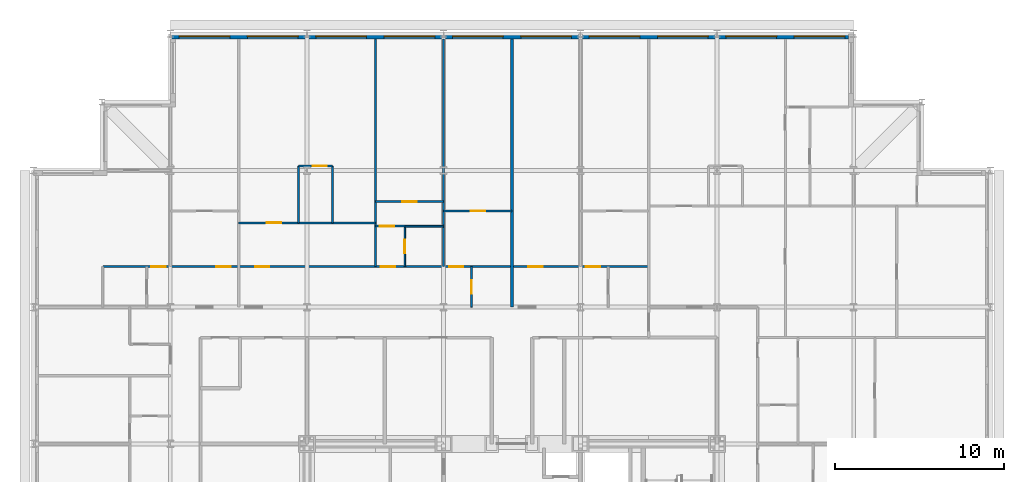
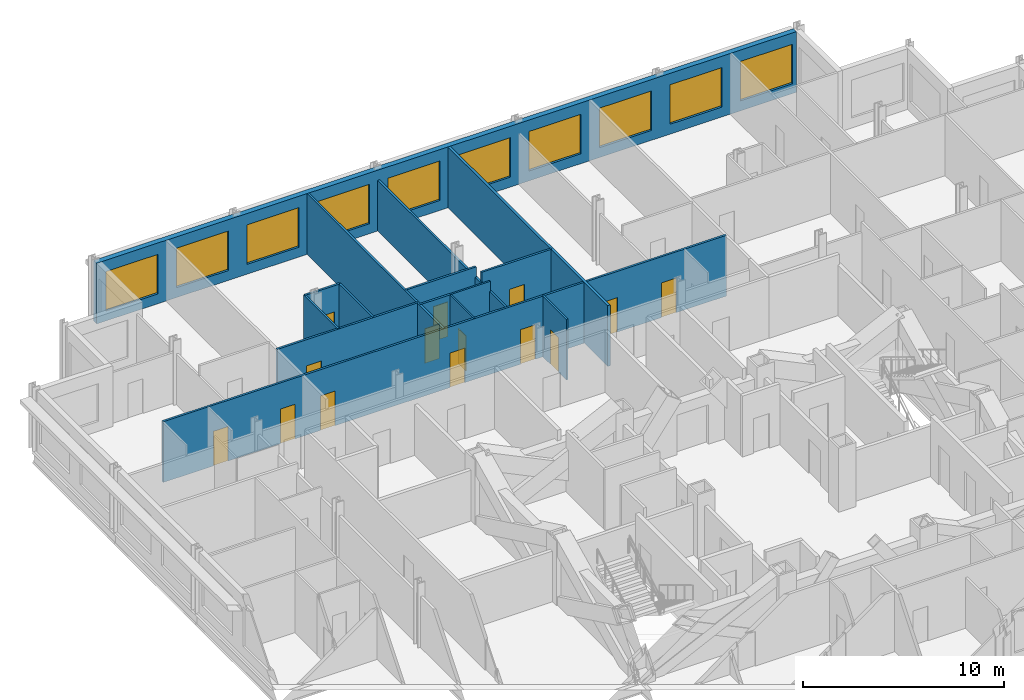
# One storey, part 13 of 16: 15 walls, 14 doors, 10 windows, 24 openings.
"""IFC4 building model written with IfcOpenShell, lengths in metres."""

import ifcopenshell
import ifcopenshell.guid

model = None  # the IFC model being written
_history = None  # IfcOwnerHistory: only IFC2X3 demands one
_inside = {}  # id of a spatial element -> (the spatial element, [elements in it])
_under = {}  # id of a project, library or spatial element -> (it, [spatial elements below it])
_declared = {}  # id of a project -> (the project, [libraries it declares])
_typed = {}  # id of a type object -> (the type object, [elements of that type])
_made_of = {}  # id of a material, layer set ... -> (it, [elements and type objects made of it])


def new_model(schema):
    """Start an empty IFC model of exactly this schema.

    Asked for "IFC4X3", IfcOpenShell would pick the latest addendum, in which some entities
    have other attributes; the version numbers below select the first issue.
    IFC2X3 requires an IfcOwnerHistory on every rooted entity: one is made here for all.
    """
    global model, _history
    if schema == "IFC4X3":
        model = ifcopenshell.file(schema_version=(4, 3, 0, 0))
    else:
        model = ifcopenshell.file(schema=schema)
    _inside.clear()
    _under.clear()
    _declared.clear()
    _typed.clear()
    _made_of.clear()
    _history = None
    if model.schema == "IFC2X3":
        org = make("IfcOrganization", Name="unknown")
        user = make(
            "IfcPersonAndOrganization",
            ThePerson=make("IfcPerson", FamilyName="unknown"),
            TheOrganization=org,
        )
        app = make(
            "IfcApplication",
            ApplicationDeveloper=org,
            Version="unknown",
            ApplicationFullName="unknown",
            ApplicationIdentifier="unknown",
        )
        _history = make(
            "IfcOwnerHistory",
            OwningUser=user,
            OwningApplication=app,
            ChangeAction="ADDED",
            CreationDate=0,
        )
    return model


def make(cls, **values):
    """One entity of the class cls with the attributes given. An attribute that is None is left unset."""
    return model.create_entity(
        cls, **{name: value for name, value in values.items() if value is not None}
    )


def rooted(cls, **values):
    """An entity with a GlobalId (a new one), such as an element, a storey or a relation."""
    return make(cls, GlobalId=ifcopenshell.guid.new(), OwnerHistory=_history, **values)


def si_unit(unit_type, name, prefix=None):
    """IfcSIUnit, for example si_unit("LENGTHUNIT", "METRE", prefix="MILLI")."""
    return make("IfcSIUnit", UnitType=unit_type, Prefix=prefix, Name=name)


def assignment(units):
    """IfcUnitAssignment: the units of a project."""
    return None if units is None else make("IfcUnitAssignment", Units=units)


def point(xyz):
    """IfcCartesianPoint."""
    return None if xyz is None else make("IfcCartesianPoint", Coordinates=xyz)


def direction(xyz):
    """IfcDirection."""
    return None if xyz is None else make("IfcDirection", DirectionRatios=xyz)


def frame(location, z_axis=None, x_axis=None):
    """IfcAxis2Placement3D, a coordinate frame: its origin and axes. An axis left out is left unset."""
    return make(
        "IfcAxis2Placement3D",
        Location=point(location),
        Axis=direction(z_axis),
        RefDirection=direction(x_axis),
    )


def frame_2d(location, x_axis=None):
    """IfcAxis2Placement2D, a coordinate frame in the plane: its origin and x axis."""
    return make(
        "IfcAxis2Placement2D", Location=point(location), RefDirection=direction(x_axis)
    )


def origin():
    """The frame at (0, 0, 0) with its axes left unset."""
    return frame((0.0, 0.0, 0.0))


def place(relative_to, where):
    """IfcLocalPlacement: puts the frame where relative to a parent placement (None: the world)."""
    return make(
        "IfcLocalPlacement", PlacementRelTo=relative_to, RelativePlacement=where
    )


def context(
    kind, dimensions, precision=None, world=None, true_north=None, identifier=None
):
    """IfcGeometricRepresentationContext, for example the 3D "Model" context."""
    return make(
        "IfcGeometricRepresentationContext",
        ContextIdentifier=identifier,
        ContextType=kind,
        CoordinateSpaceDimension=dimensions,
        Precision=precision,
        WorldCoordinateSystem=world,
        TrueNorth=true_north,
    )


def subcontext(parent, identifier, kind, view, scale=None):
    """IfcGeometricRepresentationSubContext, for example "Body" below "Model"."""
    return make(
        "IfcGeometricRepresentationSubContext",
        ContextIdentifier=identifier,
        ContextType=kind,
        ParentContext=parent,
        TargetScale=scale,
        TargetView=view,
    )


def project(units=None, contexts=None):
    """IfcProject with its units and contexts."""
    return rooted(
        "IfcProject",
        Name="project",
        RepresentationContexts=contexts,
        UnitsInContext=assignment(units),
    )


def spatial(cls, under=None, at=None, **own):
    """A site, building, storey or space (cls), placed at a placement, below another one or the project."""
    s = rooted(cls, ObjectPlacement=at, **own)
    if under is not None:
        _under.setdefault(under.id(), (under, []))[1].append(s)
    return s


def profile(cls, at=None, kind="AREA", **sizes):
    """A parametric profile (cls). Its sizes go by their IFC names, for example OverallWidth=200.0."""
    return make(cls, ProfileType=kind, Position=at, **sizes)


def rectangle(**sizes):
    """IfcRectangleProfileDef."""
    return profile("IfcRectangleProfileDef", **sizes)


def extrude(swept, where, along, depth):
    """IfcExtrudedAreaSolid: the profile swept, set in the frame where, extruded along a direction by depth."""
    return make(
        "IfcExtrudedAreaSolid",
        SweptArea=swept,
        Position=where,
        ExtrudedDirection=direction(along),
        Depth=depth,
    )


def shape(context_of_items, identifier, shape_type, items):
    """IfcShapeRepresentation: the items that make up one representation, for example the "Body"."""
    return make(
        "IfcShapeRepresentation",
        ContextOfItems=context_of_items,
        RepresentationIdentifier=identifier,
        RepresentationType=shape_type,
        Items=items,
    )


def material(Name=None, Category=None):
    """IfcMaterial."""
    return make("IfcMaterial", Name=Name, Category=Category)


def layer(
    of_material, thickness, ventilated=None, Name=None, Category=None, Priority=None
):
    """IfcMaterialLayer: one layer of a wall or slab, of a material (None: an air gap)."""
    return make(
        "IfcMaterialLayer",
        Material=of_material,
        LayerThickness=thickness,
        IsVentilated=ventilated,
        Name=Name,
        Category=Category,
        Priority=Priority,
    )


def layer_set(layers, Name=None):
    """IfcMaterialLayerSet."""
    return make("IfcMaterialLayerSet", MaterialLayers=layers, LayerSetName=Name)


def made_of(thing, what):
    """Note that an element or type object is made of a material, layer set ...; save() writes the relation."""
    if what is not None:
        _made_of.setdefault(what.id(), (what, []))[1].append(thing)
    return thing


def type_object(cls, material=None, **own):
    """A type object (cls), such as IfcWallType, which elements share."""
    return made_of(rooted(cls, **own), material)


def element(
    cls,
    number,
    at=None,
    inside=None,
    cuts=None,
    type_object=None,
    material=None,
    context=None,
    identifier="Body",
    shape_type=None,
    held_by="IfcProductDefinitionShape",
    body=None,
    shapes=None,
    **own,
):
    """One element of the class cls, such as IfcWall. Its Tag is "e" and its number.

    at: its placement. inside: the storey or other place that contains it. cuts: it is an
    opening in that element (IfcRelVoidsElement). A single representation is given by context,
    identifier, shape_type and body (its items); several are given by shapes. held_by: the class
    of the entity that holds the representations. save() writes the other relations.
    """
    e = rooted(cls, Tag="e%d" % number, ObjectPlacement=at, **own)
    if body is not None:
        shapes = [shape(context, identifier, shape_type, body)]
    if shapes is not None:
        e.Representation = make(held_by, Representations=shapes)
    if inside is not None:
        _inside.setdefault(inside.id(), (inside, []))[1].append(e)
    if cuts is not None:
        rooted(
            "IfcRelVoidsElement", RelatingBuildingElement=cuts, RelatedOpeningElement=e
        )
    if type_object is not None:
        _typed.setdefault(type_object.id(), (type_object, []))[1].append(e)
    return made_of(e, material)


def fill(opening, filler):
    """IfcRelFillsElement: the door or window that sits in an opening."""
    return rooted(
        "IfcRelFillsElement",
        RelatingOpeningElement=opening,
        RelatedBuildingElement=filler,
    )


def aggregate(whole, parts):
    """IfcRelAggregates: a whole, such as a stair, and the parts it consists of."""
    return rooted("IfcRelAggregates", RelatingObject=whole, RelatedObjects=parts)


def save(model, path):
    """Write the relations noted so far, then the file.

    IfcRelAggregates (storeys below a building ...), IfcRelContainedInSpatialStructure (elements
    in a storey), IfcRelDefinesByType, IfcRelAssociatesMaterial and IfcRelDeclares: one each for
    every whole, place, type object, material and project.
    """
    for whole, parts in _under.values():
        aggregate(whole, parts)
    for where, things in _inside.values():
        rooted(
            "IfcRelContainedInSpatialStructure",
            RelatedElements=things,
            RelatingStructure=where,
        )
    for kind, things in _typed.values():
        rooted("IfcRelDefinesByType", RelatedObjects=things, RelatingType=kind)
    for what, things in _made_of.values():
        rooted("IfcRelAssociatesMaterial", RelatedObjects=things, RelatingMaterial=what)
    for by, libraries in _declared.values():
        rooted("IfcRelDeclares", RelatingContext=by, RelatedDefinitions=libraries)
    model.write(path)


model = new_model("IFC4")

# Units and contexts
model_context = context("Model", 3, precision=1e-05, world=origin(), true_north=direction((0.0, 1.0)))
body_context = subcontext(model_context, "Body", "Model", "MODEL_VIEW")
ifc_project = project(units=[si_unit("LENGTHUNIT", "METRE"), si_unit("AREAUNIT", "SQUARE_METRE"), si_unit("VOLUMEUNIT", "CUBIC_METRE"), si_unit("PLANEANGLEUNIT", "RADIAN"), si_unit("MASSUNIT", "GRAM", prefix="KILO")], contexts=[model_context])

# Site, building, storey
site_placement = place(None, origin())
site = spatial("IfcSite", under=ifc_project, at=site_placement, CompositionType="ELEMENT")
building_placement = place(site_placement, origin())
building = spatial("IfcBuilding", under=site, at=building_placement, Name="Kopane Lantern Tower", CompositionType="ELEMENT")
storey_placement = place(building_placement, frame((0.0, 0.0, 265.800048828125)))
storey = spatial("IfcBuildingStorey", under=building, at=storey_placement, Name="L68", CompositionType="ELEMENT", Elevation=265.800048828125)

# Walls
ifc_material_1 = material(Name="Gypsum board on steel studs", Category="steel")
ifc_layer_1 = layer(ifc_material_1, 0.1201171875)
ifc_layer_set_1 = layer_set([ifc_layer_1], Name="APARTMENT INTERNAL WALL 120")
wall_type_1 = type_object("IfcWallType", Name="APARTMENT INTERNAL WALL 120", PredefinedType="PARTITIONING", material=ifc_layer_set_1)
wall_1_placement = place(storey_placement, frame((20.25, 51.0, 0.0), z_axis=(0.0, 0.0, 1.0), x_axis=(0.0, 1.0, 0.0)))
element("IfcWall", 1, at=wall_1_placement, inside=storey, type_object=wall_type_1, Name="Apartment Internal Wall 120 L68", PredefinedType="PARTITIONING", context=body_context, shape_type="SweptSolid", body=[
    extrude(rectangle(XDim=13.5, YDim=0.1201171875, at=frame_2d((6.75, 0.0))), origin(), (0.0, 0.0, 1.0), 3.68994140625),
])
wall_2_placement = place(storey_placement, frame((24.300048828125, 51.0, 0.0), z_axis=(0.0, 0.0, 1.0), x_axis=(0.0, 1.0, 0.0)))
element("IfcWall", 2, at=wall_2_placement, inside=storey, type_object=wall_type_1, Name="Apartment Internal Wall 120 L68", PredefinedType="PARTITIONING", context=body_context, shape_type="SweptSolid", body=[
    extrude(rectangle(XDim=13.5, YDim=0.1201171875, at=frame_2d((6.75, 0.0))), origin(), (0.0, 0.0, 1.0), 3.07763671875),
])

# Wall, openings, doors
wall_3_placement = place(storey_placement, frame((4.10009765625, 51.0, 0.0), z_axis=(0.0, 0.0, 1.0), x_axis=(1.0, 0.0, 0.0)))
wall_3 = element("IfcWall", 3, at=wall_3_placement, inside=storey, type_object=wall_type_1, Name="Apartment Internal Wall 120 L68", PredefinedType="PARTITIONING", context=body_context, shape_type="SweptSolid", body=[
    extrude(rectangle(XDim=32.349853515625, YDim=0.1201171875, at=frame_2d((16.1748046875, 0.0))), origin(), (0.0, 0.0, 1.0), 3.68994140625),
])
opening_1_placement = place(wall_3_placement, frame((9.02490234375, 0.0, 0.0)))
opening_1 = element("IfcOpeningElement", 4, at=opening_1_placement, cuts=wall_3, Name="Opening L68-023", PredefinedType="OPENING", context=body_context, shape_type="SweptSolid", body=[
    extrude(rectangle(XDim=0.85009765625, YDim=2.10009765625, at=frame_2d((0.425048828125, 1.050048828125))), frame((0.0, 0.070068359375, 0.0), z_axis=(0.0, -1.0, 0.0), x_axis=(1.0, 0.0, 0.0)), (0.0, 0.0, 1.0), 0.14013671875),
])
opening_2_placement = place(wall_3_placement, frame((16.47509765625, 0.0, 0.0)))
opening_2 = element("IfcOpeningElement", 5, at=opening_2_placement, cuts=wall_3, Name="Opening L68-025", PredefinedType="OPENING", context=body_context, shape_type="SweptSolid", body=[
    extrude(rectangle(XDim=0.85009765625, YDim=2.10009765625, at=frame_2d((0.425048828125, 1.050048828125))), frame((0.0, 0.070068359375, 0.0), z_axis=(0.0, -1.0, 0.0), x_axis=(1.0, 0.0, 0.0)), (0.0, 0.0, 1.0), 0.14013671875),
])
opening_3_placement = place(wall_3_placement, frame((20.52490234375, 0.0, 0.0)))
opening_3 = element("IfcOpeningElement", 6, at=opening_3_placement, cuts=wall_3, Name="Opening L68-026", PredefinedType="OPENING", context=body_context, shape_type="SweptSolid", body=[
    extrude(rectangle(XDim=0.85009765625, YDim=2.10009765625, at=frame_2d((0.425048828125, 1.050048828125))), frame((0.0, 0.070068359375, 0.0), z_axis=(0.0, -1.0, 0.0), x_axis=(1.0, 0.0, 0.0)), (0.0, 0.0, 1.0), 0.14013671875),
])
opening_4_placement = place(wall_3_placement, frame((25.22509765625, 0.0, 0.0)))
opening_4 = element("IfcOpeningElement", 7, at=opening_4_placement, cuts=wall_3, Name="Opening L68-029", PredefinedType="OPENING", context=body_context, shape_type="SweptSolid", body=[
    extrude(rectangle(XDim=0.85009765625, YDim=2.10009765625, at=frame_2d((0.425048828125, 1.050048828125))), frame((0.0, 0.070068359375, 0.0), z_axis=(0.0, -1.0, 0.0), x_axis=(1.0, 0.0, 0.0)), (0.0, 0.0, 1.0), 0.14013671875),
])
opening_5_placement = place(wall_3_placement, frame((28.625, 0.0, 0.0)))
opening_5 = element("IfcOpeningElement", 8, at=opening_5_placement, cuts=wall_3, Name="Opening L68-030", PredefinedType="OPENING", context=body_context, shape_type="SweptSolid", body=[
    extrude(rectangle(XDim=0.85009765625, YDim=2.10009765625, at=frame_2d((0.425048828125, 1.050048828125))), frame((0.0, 0.070068359375, 0.0), z_axis=(0.0, -1.0, 0.0), x_axis=(1.0, 0.0, 0.0)), (0.0, 0.0, 1.0), 0.14013671875),
])
opening_6_placement = place(wall_3_placement, frame((6.72509765625, 0.0, 0.0)))
opening_6 = element("IfcOpeningElement", 9, at=opening_6_placement, cuts=wall_3, Name="Opening L68-044", PredefinedType="OPENING", context=body_context, shape_type="SweptSolid", body=[
    extrude(rectangle(XDim=0.85009765625, YDim=2.10009765625, at=frame_2d((0.425048828125, 1.050048828125))), frame((0.0, 0.070068359375, 0.0), z_axis=(0.0, -1.0, 0.0), x_axis=(1.0, 0.0, 0.0)), (0.0, 0.0, 1.0), 0.14013671875),
])
opening_7_placement = place(wall_3_placement, frame((2.875, 0.0, 0.0)))
opening_7 = element("IfcOpeningElement", 10, at=opening_7_placement, cuts=wall_3, Name="Opening L68-046", PredefinedType="OPENING", context=body_context, shape_type="SweptSolid", body=[
    extrude(rectangle(XDim=0.85009765625, YDim=2.10009765625, at=frame_2d((0.425048828125, 1.050048828125))), frame((0.0, 0.070068359375, 0.0), z_axis=(0.0, -1.0, 0.0), x_axis=(1.0, 0.0, 0.0)), (0.0, 0.0, 1.0), 0.14013671875),
])
ifc_material_2 = material(Name="Timber door set", Category="wood")
door_type_1 = type_object("IfcDoorType", Name="DOOR D4 850x2100", OperationType="SINGLE_SWING_LEFT", PredefinedType="DOOR", material=ifc_material_2)
door_1_placement = place(opening_1_placement, origin())
door_1 = element("IfcDoor", 11, at=door_1_placement, inside=storey, type_object=door_type_1, Name="Door L68-023", OperationType="SINGLE_SWING_LEFT", OverallHeight=2.10009765625, OverallWidth=0.85009765625, PredefinedType="DOOR", context=body_context, shape_type="SweptSolid", body=[
    extrude(rectangle(XDim=0.85009765625, YDim=2.10009765625, at=frame_2d((0.425048828125, 1.050048828125))), frame((0.0, 0.02490234375, 0.0), z_axis=(0.0, -1.0, 0.0), x_axis=(1.0, 0.0, 0.0)), (0.0, 0.0, 1.0), 0.050048828125),
])
fill(opening_1, door_1)
door_2_placement = place(opening_2_placement, origin())
door_2 = element("IfcDoor", 12, at=door_2_placement, inside=storey, type_object=door_type_1, Name="Door L68-025", OperationType="SINGLE_SWING_LEFT", OverallHeight=2.10009765625, OverallWidth=0.85009765625, PredefinedType="DOOR", context=body_context, shape_type="SweptSolid", body=[
    extrude(rectangle(XDim=0.85009765625, YDim=2.10009765625, at=frame_2d((0.425048828125, 1.050048828125))), frame((0.0, 0.02490234375, 0.0), z_axis=(0.0, -1.0, 0.0), x_axis=(1.0, 0.0, 0.0)), (0.0, 0.0, 1.0), 0.050048828125),
])
fill(opening_2, door_2)
door_3_placement = place(opening_3_placement, origin())
door_3 = element("IfcDoor", 13, at=door_3_placement, inside=storey, type_object=door_type_1, Name="Door L68-026", OperationType="SINGLE_SWING_LEFT", OverallHeight=2.10009765625, OverallWidth=0.85009765625, PredefinedType="DOOR", context=body_context, shape_type="SweptSolid", body=[
    extrude(rectangle(XDim=0.85009765625, YDim=2.10009765625, at=frame_2d((0.425048828125, 1.050048828125))), frame((0.0, 0.02490234375, 0.0), z_axis=(0.0, -1.0, 0.0), x_axis=(1.0, 0.0, 0.0)), (0.0, 0.0, 1.0), 0.050048828125),
])
fill(opening_3, door_3)
door_4_placement = place(opening_4_placement, origin())
door_4 = element("IfcDoor", 14, at=door_4_placement, inside=storey, type_object=door_type_1, Name="Door L68-029", OperationType="SINGLE_SWING_RIGHT", OverallHeight=2.10009765625, OverallWidth=0.85009765625, PredefinedType="DOOR", context=body_context, shape_type="SweptSolid", body=[
    extrude(rectangle(XDim=0.85009765625, YDim=2.10009765625, at=frame_2d((0.425048828125, 1.050048828125))), frame((0.0, 0.02490234375, 0.0), z_axis=(0.0, -1.0, 0.0), x_axis=(1.0, 0.0, 0.0)), (0.0, 0.0, 1.0), 0.050048828125),
])
fill(opening_4, door_4)
door_5_placement = place(opening_5_placement, origin())
door_5 = element("IfcDoor", 15, at=door_5_placement, inside=storey, type_object=door_type_1, Name="Door L68-030", OperationType="SINGLE_SWING_LEFT", OverallHeight=2.10009765625, OverallWidth=0.85009765625, PredefinedType="DOOR", context=body_context, shape_type="SweptSolid", body=[
    extrude(rectangle(XDim=0.85009765625, YDim=2.10009765625, at=frame_2d((0.425048828125, 1.050048828125))), frame((0.0, 0.02490234375, 0.0), z_axis=(0.0, -1.0, 0.0), x_axis=(1.0, 0.0, 0.0)), (0.0, 0.0, 1.0), 0.050048828125),
])
fill(opening_5, door_5)
door_6_placement = place(opening_6_placement, origin())
door_6 = element("IfcDoor", 16, at=door_6_placement, inside=storey, type_object=door_type_1, Name="Door L68-044", OperationType="SINGLE_SWING_LEFT", OverallHeight=2.10009765625, OverallWidth=0.85009765625, PredefinedType="DOOR", context=body_context, shape_type="SweptSolid", body=[
    extrude(rectangle(XDim=0.85009765625, YDim=2.10009765625, at=frame_2d((0.425048828125, 1.050048828125))), frame((0.0, 0.02490234375, 0.0), z_axis=(0.0, -1.0, 0.0), x_axis=(1.0, 0.0, 0.0)), (0.0, 0.0, 1.0), 0.050048828125),
])
fill(opening_6, door_6)
door_7_placement = place(opening_7_placement, origin())
door_7 = element("IfcDoor", 17, at=door_7_placement, inside=storey, type_object=door_type_1, Name="Door L68-046", OperationType="SINGLE_SWING_RIGHT", OverallHeight=2.10009765625, OverallWidth=0.85009765625, PredefinedType="DOOR", context=body_context, shape_type="SweptSolid", body=[
    extrude(rectangle(XDim=0.85009765625, YDim=2.10009765625, at=frame_2d((0.425048828125, 1.050048828125))), frame((0.0, 0.02490234375, 0.0), z_axis=(0.0, -1.0, 0.0), x_axis=(1.0, 0.0, 0.0)), (0.0, 0.0, 1.0), 0.050048828125),
])
fill(opening_7, door_7)

# Wall, opening, door
wall_4_placement = place(storey_placement, frame((20.25, 53.39990234375, 0.0), z_axis=(0.0, 0.0, 1.0), x_axis=(1.0, 0.0, 0.0)))
wall_4 = element("IfcWall", 18, at=wall_4_placement, inside=storey, type_object=wall_type_1, Name="Apartment Internal Wall 120 L68", PredefinedType="PARTITIONING", context=body_context, shape_type="SweptSolid", body=[
    extrude(rectangle(XDim=1.760009765625, YDim=0.1201171875, at=frame_2d((0.8798828125, 0.0))), origin(), (0.0, 0.0, 1.0), 3.68994140625),
])
opening_8_placement = place(wall_4_placement, frame((0.27490234375, 0.0, 0.0)))
opening_8 = element("IfcOpeningElement", 19, at=opening_8_placement, cuts=wall_4, Name="Opening L68-065", PredefinedType="OPENING", context=body_context, shape_type="SweptSolid", body=[
    extrude(rectangle(XDim=0.85009765625, YDim=2.10009765625, at=frame_2d((0.425048828125, 1.050048828125))), frame((0.0, 0.070068359375, 0.0), z_axis=(0.0, -1.0, 0.0), x_axis=(1.0, 0.0, 0.0)), (0.0, 0.0, 1.0), 0.14013671875),
])
door_8_placement = place(opening_8_placement, origin())
door_8 = element("IfcDoor", 20, at=door_8_placement, inside=storey, type_object=door_type_1, Name="Door L68-065", OperationType="SINGLE_SWING_LEFT", OverallHeight=2.10009765625, OverallWidth=0.85009765625, PredefinedType="DOOR", context=body_context, shape_type="SweptSolid", body=[
    extrude(rectangle(XDim=0.85009765625, YDim=2.10009765625, at=frame_2d((0.425048828125, 1.050048828125))), frame((0.0, 0.02490234375, 0.0), z_axis=(0.0, -1.0, 0.0), x_axis=(1.0, 0.0, 0.0)), (0.0, 0.0, 1.0), 0.050048828125),
])
fill(opening_8, door_8)

wall_5_placement = place(storey_placement, frame((12.14990234375, 53.60009765625, 0.0), z_axis=(0.0, 0.0, 1.0), x_axis=(1.0, 0.0, 0.0)))
wall_5 = element("IfcWall", 21, at=wall_5_placement, inside=storey, type_object=wall_type_1, Name="Apartment Internal Wall 120 L68", PredefinedType="PARTITIONING", context=body_context, shape_type="SweptSolid", body=[
    extrude(rectangle(XDim=8.10009765625, YDim=0.1201171875, at=frame_2d((4.050048828125, 0.0))), origin(), (0.0, 0.0, 1.0), 3.68994140625),
])
opening_9_placement = place(wall_5_placement, frame((1.675048828125, 0.0, 0.0)))
opening_9 = element("IfcOpeningElement", 22, at=opening_9_placement, cuts=wall_5, Name="Opening L68-071", PredefinedType="OPENING", context=body_context, shape_type="SweptSolid", body=[
    extrude(rectangle(XDim=0.85009765625, YDim=2.10009765625, at=frame_2d((0.425048828125, 1.050048828125))), frame((0.0, 0.070068359375, 0.0), z_axis=(0.0, -1.0, 0.0), x_axis=(1.0, 0.0, 0.0)), (0.0, 0.0, 1.0), 0.14013671875),
])
door_9_placement = place(opening_9_placement, origin())
door_9 = element("IfcDoor", 23, at=door_9_placement, inside=storey, type_object=door_type_1, Name="Door L68-071", OperationType="SINGLE_SWING_RIGHT", OverallHeight=2.10009765625, OverallWidth=0.85009765625, PredefinedType="DOOR", context=body_context, shape_type="SweptSolid", body=[
    extrude(rectangle(XDim=0.85009765625, YDim=2.10009765625, at=frame_2d((0.425048828125, 1.050048828125))), frame((0.0, 0.02490234375, 0.0), z_axis=(0.0, -1.0, 0.0), x_axis=(1.0, 0.0, 0.0)), (0.0, 0.0, 1.0), 0.050048828125),
])
fill(opening_9, door_9)

wall_6_placement = place(storey_placement, frame((20.25, 54.85009765625, 0.0), z_axis=(0.0, 0.0, 1.0), x_axis=(1.0, 0.0, 0.0)))
wall_6 = element("IfcWall", 24, at=wall_6_placement, inside=storey, type_object=wall_type_1, Name="Apartment Internal Wall 120 L68", PredefinedType="PARTITIONING", context=body_context, shape_type="SweptSolid", body=[
    extrude(rectangle(XDim=4.050048828125, YDim=0.1201171875, at=frame_2d((2.02490234375, 0.0))), origin(), (0.0, 0.0, 1.0), 3.68994140625),
])
opening_10_placement = place(wall_6_placement, frame((1.60009765625, 0.0, 0.0)))
opening_10 = element("IfcOpeningElement", 25, at=opening_10_placement, cuts=wall_6, Name="Opening L68-072", PredefinedType="OPENING", context=body_context, shape_type="SweptSolid", body=[
    extrude(rectangle(XDim=0.85009765625, YDim=2.10009765625, at=frame_2d((0.425048828125, 1.050048828125))), frame((0.0, 0.070068359375, 0.0), z_axis=(0.0, -1.0, 0.0), x_axis=(1.0, 0.0, 0.0)), (0.0, 0.0, 1.0), 0.14013671875),
])
door_10_placement = place(opening_10_placement, origin())
door_10 = element("IfcDoor", 26, at=door_10_placement, inside=storey, type_object=door_type_1, Name="Door L68-072", OperationType="SINGLE_SWING_RIGHT", OverallHeight=2.10009765625, OverallWidth=0.85009765625, PredefinedType="DOOR", context=body_context, shape_type="SweptSolid", body=[
    extrude(rectangle(XDim=0.85009765625, YDim=2.10009765625, at=frame_2d((0.425048828125, 1.050048828125))), frame((0.0, 0.02490234375, 0.0), z_axis=(0.0, -1.0, 0.0), x_axis=(1.0, 0.0, 0.0)), (0.0, 0.0, 1.0), 0.050048828125),
])
fill(opening_10, door_10)

wall_7_placement = place(storey_placement, frame((24.300048828125, 54.300048828125, 0.0), z_axis=(0.0, 0.0, 1.0), x_axis=(1.0, 0.0, 0.0)))
wall_7 = element("IfcWall", 27, at=wall_7_placement, inside=storey, type_object=wall_type_1, Name="Apartment Internal Wall 120 L68", PredefinedType="PARTITIONING", context=body_context, shape_type="SweptSolid", body=[
    extrude(rectangle(XDim=4.050048828125, YDim=0.1201171875, at=frame_2d((2.02490234375, 0.0))), origin(), (0.0, 0.0, 1.0), 3.68994140625),
])
opening_11_placement = place(wall_7_placement, frame((1.60009765625, 0.0, 0.0)))
opening_11 = element("IfcOpeningElement", 28, at=opening_11_placement, cuts=wall_7, Name="Opening L68-073", PredefinedType="OPENING", context=body_context, shape_type="SweptSolid", body=[
    extrude(rectangle(XDim=0.85009765625, YDim=2.10009765625, at=frame_2d((0.425048828125, 1.050048828125))), frame((0.0, 0.070068359375, 0.0), z_axis=(0.0, -1.0, 0.0), x_axis=(1.0, 0.0, 0.0)), (0.0, 0.0, 1.0), 0.14013671875),
])
door_11_placement = place(opening_11_placement, origin())
door_11 = element("IfcDoor", 29, at=door_11_placement, inside=storey, type_object=door_type_1, Name="Door L68-073", OperationType="SINGLE_SWING_RIGHT", OverallHeight=2.10009765625, OverallWidth=0.85009765625, PredefinedType="DOOR", context=body_context, shape_type="SweptSolid", body=[
    extrude(rectangle(XDim=0.85009765625, YDim=2.10009765625, at=frame_2d((0.425048828125, 1.050048828125))), frame((0.0, 0.02490234375, 0.0), z_axis=(0.0, -1.0, 0.0), x_axis=(1.0, 0.0, 0.0)), (0.0, 0.0, 1.0), 0.050048828125),
])
fill(opening_11, door_11)

# Walls
for number, where, z_axis, x_axis, name in (
    (30, (15.697021484375, 53.60009765625, 0.0), (0.0, 0.0, 1.0), (0.0, 1.0, 0.0), "Apartment Internal Wall 120 L68"),
    (31, (17.702880859375, 53.60009765625, 0.0), (0.0, 0.0, 1.0), (0.0, 1.0, 0.0), "Apartment Internal Wall 120 L68"),
):
    element("IfcWall", number, at=place(storey_placement, frame(where, z_axis=z_axis, x_axis=x_axis)), inside=storey, type_object=wall_type_1, Name=name, PredefinedType="PARTITIONING", context=body_context, shape_type="SweptSolid", body=[
        extrude(rectangle(XDim=3.36279296875, YDim=0.1201171875, at=frame_2d((1.681396484375, 0.0))), origin(), (0.0, 0.0, 1.0), 3.68994140625),
    ])

# Wall, opening, door
wall_8_placement = place(storey_placement, frame((15.697021484375, 56.962890625, 0.0), z_axis=(0.0, 0.0, 1.0), x_axis=(1.0, 0.0, 0.0)))
wall_8 = element("IfcWall", 32, at=wall_8_placement, inside=storey, type_object=wall_type_1, Name="Apartment Internal Wall 120 L68", PredefinedType="PARTITIONING", context=body_context, shape_type="SweptSolid", body=[
    extrude(rectangle(XDim=2.005859375, YDim=0.1201171875, at=frame_2d((1.0029296875, 0.0))), origin(), (0.0, 0.0, 1.0), 3.68994140625),
])
opening_12_placement = place(wall_8_placement, frame((0.8310546875, 0.0, 0.0)))
opening_12 = element("IfcOpeningElement", 33, at=opening_12_placement, cuts=wall_8, Name="Opening L68-084", PredefinedType="OPENING", context=body_context, shape_type="SweptSolid", body=[
    extrude(rectangle(XDim=0.85009765625, YDim=2.10009765625, at=frame_2d((0.425048828125, 1.050048828125))), frame((0.0, 0.070068359375, 0.0), z_axis=(0.0, -1.0, 0.0), x_axis=(1.0, 0.0, 0.0)), (0.0, 0.0, 1.0), 0.14013671875),
])
door_12_placement = place(opening_12_placement, origin())
door_12 = element("IfcDoor", 34, at=door_12_placement, inside=storey, type_object=door_type_1, Name="Door L68-084", OperationType="SINGLE_SWING_LEFT", OverallHeight=2.10009765625, OverallWidth=0.85009765625, PredefinedType="DOOR", context=body_context, shape_type="SweptSolid", body=[
    extrude(rectangle(XDim=0.85009765625, YDim=2.10009765625, at=frame_2d((0.425048828125, 1.050048828125))), frame((0.0, 0.02490234375, 0.0), z_axis=(0.0, -1.0, 0.0), x_axis=(1.0, 0.0, 0.0)), (0.0, 0.0, 1.0), 0.050048828125),
])
fill(opening_12, door_12)

ifc_material_3 = material(Name="Moisture-resistant board on steel studs", Category="steel")
ifc_layer_2 = layer(ifc_material_3, 0.10009765625)
ifc_layer_set_2 = layer_set([ifc_layer_2], Name="BATHROOM WALL 100")
wall_type_2 = type_object("IfcWallType", Name="BATHROOM WALL 100", PredefinedType="PARTITIONING", material=ifc_layer_set_2)
wall_9_placement = place(storey_placement, frame((25.949951171875, 48.60009765625, 0.0), z_axis=(0.0, 0.0, 1.0), x_axis=(0.0, 1.0, 0.0)))
wall_9 = element("IfcWall", 35, at=wall_9_placement, inside=storey, type_object=wall_type_2, Name="Bathroom Wall 100 L68", PredefinedType="PARTITIONING", context=body_context, shape_type="SweptSolid", body=[
    extrude(rectangle(XDim=2.39990234375, YDim=0.10009765625, at=frame_2d((1.199951171875, 0.0))), origin(), (0.0, 0.0, 1.0), 3.68994140625),
])
opening_13_placement = place(wall_9_placement, frame((0.800048828125, 0.0, 0.0)))
opening_13 = element("IfcOpeningElement", 36, at=opening_13_placement, cuts=wall_9, Name="Opening L68-021", PredefinedType="OPENING", context=body_context, shape_type="SweptSolid", body=[
    extrude(rectangle(XDim=0.800048828125, YDim=2.10009765625, at=frame_2d((0.39990234375, 1.050048828125))), frame((0.0, 0.06005859375, 0.0), z_axis=(0.0, -1.0, 0.0), x_axis=(1.0, 0.0, 0.0)), (0.0, 0.0, 1.0), 0.1201171875),
])
ifc_material_4 = material(Name="Timber door set", Category="wood")
door_type_2 = type_object("IfcDoorType", Name="DOOR D2 800x2100", OperationType="SINGLE_SWING_LEFT", PredefinedType="DOOR", material=ifc_material_4)
door_13_placement = place(opening_13_placement, origin())
door_13 = element("IfcDoor", 37, at=door_13_placement, inside=storey, type_object=door_type_2, Name="Door L68-021", OperationType="SINGLE_SWING_RIGHT", OverallHeight=2.10009765625, OverallWidth=0.800048828125, PredefinedType="DOOR", context=body_context, shape_type="SweptSolid", body=[
    extrude(rectangle(XDim=0.800048828125, YDim=2.10009765625, at=frame_2d((0.39990234375, 1.050048828125))), frame((0.0, 0.02490234375, 0.0), z_axis=(0.0, -1.0, 0.0), x_axis=(1.0, 0.0, 0.0)), (0.0, 0.0, 1.0), 0.050048828125),
])
fill(opening_13, door_13)

wall_10_placement = place(storey_placement, frame((22.0, 51.0, 0.0), z_axis=(0.0, 0.0, 1.0), x_axis=(0.0, 1.0, 0.0)))
wall_10 = element("IfcWall", 38, at=wall_10_placement, inside=storey, type_object=wall_type_2, Name="Bathroom Wall 100 L68", PredefinedType="PARTITIONING", context=body_context, shape_type="SweptSolid", body=[
    extrude(rectangle(XDim=2.39990234375, YDim=0.10009765625, at=frame_2d((1.199951171875, 0.0))), origin(), (0.0, 0.0, 1.0), 3.68994140625),
])
opening_14_placement = place(wall_10_placement, frame((0.800048828125, 0.0, 0.0)))
opening_14 = element("IfcOpeningElement", 39, at=opening_14_placement, cuts=wall_10, Name="Opening L68-024", PredefinedType="OPENING", context=body_context, shape_type="SweptSolid", body=[
    extrude(rectangle(XDim=0.800048828125, YDim=2.10009765625, at=frame_2d((0.39990234375, 1.050048828125))), frame((0.0, 0.06005859375, 0.0), z_axis=(0.0, -1.0, 0.0), x_axis=(1.0, 0.0, 0.0)), (0.0, 0.0, 1.0), 0.1201171875),
])
door_14_placement = place(opening_14_placement, origin())
door_14 = element("IfcDoor", 40, at=door_14_placement, inside=storey, type_object=door_type_2, Name="Door L68-024", OperationType="SINGLE_SWING_RIGHT", OverallHeight=2.10009765625, OverallWidth=0.800048828125, PredefinedType="DOOR", context=body_context, shape_type="SweptSolid", body=[
    extrude(rectangle(XDim=0.800048828125, YDim=2.10009765625, at=frame_2d((0.39990234375, 1.050048828125))), frame((0.0, 0.02490234375, 0.0), z_axis=(0.0, -1.0, 0.0), x_axis=(1.0, 0.0, 0.0)), (0.0, 0.0, 1.0), 0.050048828125),
])
fill(opening_14, door_14)

# Walls
wall_11_placement = place(storey_placement, frame((22.0, 53.39990234375, 0.0), z_axis=(0.0, 0.0, 1.0), x_axis=(1.0, 0.0, 0.0)))
element("IfcWall", 41, at=wall_11_placement, inside=storey, type_object=wall_type_2, Name="Bathroom Wall 100 L68", PredefinedType="PARTITIONING", context=body_context, shape_type="SweptSolid", body=[
    extrude(rectangle(XDim=2.300048828125, YDim=0.10009765625, at=frame_2d((1.14990234375, 0.0))), origin(), (0.0, 0.0, 1.0), 3.68994140625),
])
ifc_material_5 = material(Name="Gypsum board on steel studs", Category="steel")
ifc_layer_3 = layer(ifc_material_5, 0.14990234375)
ifc_layer_set_3 = layer_set([ifc_layer_3], Name="DEMISING WALL 150 EI 60")
wall_type_3 = type_object("IfcWallType", Name="DEMISING WALL 150 EI 60", PredefinedType="PARTITIONING", material=ifc_layer_set_3)
wall_12_placement = place(storey_placement, frame((28.35009765625, 48.60009765625, 0.0), z_axis=(0.0, 0.0, 1.0), x_axis=(0.0, 1.0, 0.0)))
element("IfcWall", 42, at=wall_12_placement, inside=storey, type_object=wall_type_3, Name="Demising Wall 150 Ei 60 L68", PredefinedType="PARTITIONING", context=body_context, shape_type="SweptSolid", body=[
    extrude(rectangle(XDim=15.89990234375, YDim=0.14990234375, at=frame_2d((7.949951171875, 0.0))), origin(), (0.0, 0.0, 1.0), 3.68994140625),
])

# Wall, openings, windows
ifc_material_6 = material(Name="Terracotta rainscreen on light steel framing", Category="masonry")
ifc_layer_4 = layer(ifc_material_6, 0.300048828125)
ifc_layer_set_4 = layer_set([ifc_layer_4], Name="EXTERNAL WALL EW1 300 TERRACOTTA")
wall_type_4 = type_object("IfcWallType", Name="EXTERNAL WALL EW1 300 TERRACOTTA", PredefinedType="SOLIDWALL", material=ifc_layer_set_4)
wall_13_placement = place(storey_placement, frame((48.300048828125, 64.64990234375, 0.0), z_axis=(0.0, 0.0, 1.0), x_axis=(-1.0, 0.0, 0.0)))
wall_13 = element("IfcWall", 43, at=wall_13_placement, inside=storey, type_object=wall_type_4, Name="External wall N L68", PredefinedType="SOLIDWALL", context=body_context, shape_type="SweptSolid", body=[
    extrude(rectangle(XDim=40.199951171875, YDim=0.300048828125, at=frame_2d((20.10009765625, 0.0))), origin(), (0.0, 0.0, 1.0), 3.68994140625),
])
opening_15_placement = place(wall_13_placement, frame((0.22509765625, 0.0, 0.60009765625)))
opening_15 = element("IfcOpeningElement", 44, at=opening_15_placement, cuts=wall_13, Name="Opening WR300240", PredefinedType="OPENING", context=body_context, shape_type="SweptSolid", body=[
    extrude(rectangle(XDim=3.0, YDim=2.39990234375, at=frame_2d((1.5, 1.199951171875))), frame((0.0, 0.159912109375, 0.0), z_axis=(0.0, -1.0, 0.0), x_axis=(1.0, 0.0, 0.0)), (0.0, 0.0, 1.0), 0.320068359375),
])
opening_16_placement = place(wall_13_placement, frame((4.27490234375, 0.0, 0.60009765625)))
opening_16 = element("IfcOpeningElement", 45, at=opening_16_placement, cuts=wall_13, Name="Opening WR300240", PredefinedType="OPENING", context=body_context, shape_type="SweptSolid", body=[
    extrude(rectangle(XDim=3.0, YDim=2.39990234375, at=frame_2d((1.5, 1.199951171875))), frame((0.0, 0.159912109375, 0.0), z_axis=(0.0, -1.0, 0.0), x_axis=(1.0, 0.0, 0.0)), (0.0, 0.0, 1.0), 0.320068359375),
])
opening_17_placement = place(wall_13_placement, frame((8.324951171875, 0.0, 0.60009765625)))
opening_17 = element("IfcOpeningElement", 46, at=opening_17_placement, cuts=wall_13, Name="Opening WR300240", PredefinedType="OPENING", context=body_context, shape_type="SweptSolid", body=[
    extrude(rectangle(XDim=3.0, YDim=2.39990234375, at=frame_2d((1.5, 1.199951171875))), frame((0.0, 0.159912109375, 0.0), z_axis=(0.0, -1.0, 0.0), x_axis=(1.0, 0.0, 0.0)), (0.0, 0.0, 1.0), 0.320068359375),
])
opening_18_placement = place(wall_13_placement, frame((12.375, 0.0, 0.60009765625)))
opening_18 = element("IfcOpeningElement", 47, at=opening_18_placement, cuts=wall_13, Name="Opening WR300240", PredefinedType="OPENING", context=body_context, shape_type="SweptSolid", body=[
    extrude(rectangle(XDim=3.0, YDim=2.39990234375, at=frame_2d((1.5, 1.199951171875))), frame((0.0, 0.159912109375, 0.0), z_axis=(0.0, -1.0, 0.0), x_axis=(1.0, 0.0, 0.0)), (0.0, 0.0, 1.0), 0.320068359375),
])
opening_19_placement = place(wall_13_placement, frame((16.425048828125, 0.0, 0.60009765625)))
opening_19 = element("IfcOpeningElement", 48, at=opening_19_placement, cuts=wall_13, Name="Opening WR300240", PredefinedType="OPENING", context=body_context, shape_type="SweptSolid", body=[
    extrude(rectangle(XDim=3.0, YDim=2.39990234375, at=frame_2d((1.5, 1.199951171875))), frame((0.0, 0.159912109375, 0.0), z_axis=(0.0, -1.0, 0.0), x_axis=(1.0, 0.0, 0.0)), (0.0, 0.0, 1.0), 0.320068359375),
])
opening_20_placement = place(wall_13_placement, frame((20.47509765625, 0.0, 0.60009765625)))
opening_20 = element("IfcOpeningElement", 49, at=opening_20_placement, cuts=wall_13, Name="Opening WR300240", PredefinedType="OPENING", context=body_context, shape_type="SweptSolid", body=[
    extrude(rectangle(XDim=3.0, YDim=2.39990234375, at=frame_2d((1.5, 1.199951171875))), frame((0.0, 0.159912109375, 0.0), z_axis=(0.0, -1.0, 0.0), x_axis=(1.0, 0.0, 0.0)), (0.0, 0.0, 1.0), 0.320068359375),
])
opening_21_placement = place(wall_13_placement, frame((24.52490234375, 0.0, 0.60009765625)))
opening_21 = element("IfcOpeningElement", 50, at=opening_21_placement, cuts=wall_13, Name="Opening WR300240", PredefinedType="OPENING", context=body_context, shape_type="SweptSolid", body=[
    extrude(rectangle(XDim=3.0, YDim=2.39990234375, at=frame_2d((1.5, 1.199951171875))), frame((0.0, 0.159912109375, 0.0), z_axis=(0.0, -1.0, 0.0), x_axis=(1.0, 0.0, 0.0)), (0.0, 0.0, 1.0), 0.320068359375),
])
opening_22_placement = place(wall_13_placement, frame((28.574951171875, 0.0, 0.60009765625)))
opening_22 = element("IfcOpeningElement", 51, at=opening_22_placement, cuts=wall_13, Name="Opening WR300240", PredefinedType="OPENING", context=body_context, shape_type="SweptSolid", body=[
    extrude(rectangle(XDim=3.0, YDim=2.39990234375, at=frame_2d((1.5, 1.199951171875))), frame((0.0, 0.159912109375, 0.0), z_axis=(0.0, -1.0, 0.0), x_axis=(1.0, 0.0, 0.0)), (0.0, 0.0, 1.0), 0.320068359375),
])
opening_23_placement = place(wall_13_placement, frame((32.625, 0.0, 0.60009765625)))
opening_23 = element("IfcOpeningElement", 52, at=opening_23_placement, cuts=wall_13, Name="Opening WR300240", PredefinedType="OPENING", context=body_context, shape_type="SweptSolid", body=[
    extrude(rectangle(XDim=3.0, YDim=2.39990234375, at=frame_2d((1.5, 1.199951171875))), frame((0.0, 0.159912109375, 0.0), z_axis=(0.0, -1.0, 0.0), x_axis=(1.0, 0.0, 0.0)), (0.0, 0.0, 1.0), 0.320068359375),
])
opening_24_placement = place(wall_13_placement, frame((36.675048828125, 0.0, 0.60009765625)))
opening_24 = element("IfcOpeningElement", 53, at=opening_24_placement, cuts=wall_13, Name="Opening WR300240", PredefinedType="OPENING", context=body_context, shape_type="SweptSolid", body=[
    extrude(rectangle(XDim=3.0, YDim=2.39990234375, at=frame_2d((1.5, 1.199951171875))), frame((0.0, 0.159912109375, 0.0), z_axis=(0.0, -1.0, 0.0), x_axis=(1.0, 0.0, 0.0)), (0.0, 0.0, 1.0), 0.320068359375),
])
ifc_material_7 = material(Name="Aluminium and clear glass", Category="aluminium")
window_type = type_object("IfcWindowType", Name="RIBBON WINDOW WR300240 3000x2400", PartitioningType="SINGLE_PANEL", PredefinedType="WINDOW", material=ifc_material_7)
window_1_placement = place(opening_15_placement, origin())
window_1 = element("IfcWindow", 54, at=window_1_placement, inside=storey, type_object=window_type, Name="Window N L68", OverallHeight=2.39990234375, OverallWidth=3.0, PartitioningType="SINGLE_PANEL", PredefinedType="WINDOW", context=body_context, shape_type="SweptSolid", body=[
    extrude(rectangle(XDim=3.0, YDim=2.39990234375, at=frame_2d((1.5, 1.199951171875))), frame((0.0, 0.030029296875, 0.0), z_axis=(0.0, -1.0, 0.0), x_axis=(1.0, 0.0, 0.0)), (0.0, 0.0, 1.0), 0.06005859375),
])
fill(opening_15, window_1)
window_2_placement = place(opening_16_placement, origin())
window_2 = element("IfcWindow", 55, at=window_2_placement, inside=storey, type_object=window_type, Name="Window N L68", OverallHeight=2.39990234375, OverallWidth=3.0, PartitioningType="SINGLE_PANEL", PredefinedType="WINDOW", context=body_context, shape_type="SweptSolid", body=[
    extrude(rectangle(XDim=3.0, YDim=2.39990234375, at=frame_2d((1.5, 1.199951171875))), frame((0.0, 0.030029296875, 0.0), z_axis=(0.0, -1.0, 0.0), x_axis=(1.0, 0.0, 0.0)), (0.0, 0.0, 1.0), 0.06005859375),
])
fill(opening_16, window_2)
window_3_placement = place(opening_17_placement, origin())
window_3 = element("IfcWindow", 56, at=window_3_placement, inside=storey, type_object=window_type, Name="Window N L68", OverallHeight=2.39990234375, OverallWidth=3.0, PartitioningType="SINGLE_PANEL", PredefinedType="WINDOW", context=body_context, shape_type="SweptSolid", body=[
    extrude(rectangle(XDim=3.0, YDim=2.39990234375, at=frame_2d((1.5, 1.199951171875))), frame((0.0, 0.030029296875, 0.0), z_axis=(0.0, -1.0, 0.0), x_axis=(1.0, 0.0, 0.0)), (0.0, 0.0, 1.0), 0.06005859375),
])
fill(opening_17, window_3)
window_4_placement = place(opening_18_placement, origin())
window_4 = element("IfcWindow", 57, at=window_4_placement, inside=storey, type_object=window_type, Name="Window N L68", OverallHeight=2.39990234375, OverallWidth=3.0, PartitioningType="SINGLE_PANEL", PredefinedType="WINDOW", context=body_context, shape_type="SweptSolid", body=[
    extrude(rectangle(XDim=3.0, YDim=2.39990234375, at=frame_2d((1.5, 1.199951171875))), frame((0.0, 0.030029296875, 0.0), z_axis=(0.0, -1.0, 0.0), x_axis=(1.0, 0.0, 0.0)), (0.0, 0.0, 1.0), 0.06005859375),
])
fill(opening_18, window_4)
window_5_placement = place(opening_19_placement, origin())
window_5 = element("IfcWindow", 58, at=window_5_placement, inside=storey, type_object=window_type, Name="Window N L68", OverallHeight=2.39990234375, OverallWidth=3.0, PartitioningType="SINGLE_PANEL", PredefinedType="WINDOW", context=body_context, shape_type="SweptSolid", body=[
    extrude(rectangle(XDim=3.0, YDim=2.39990234375, at=frame_2d((1.5, 1.199951171875))), frame((0.0, 0.030029296875, 0.0), z_axis=(0.0, -1.0, 0.0), x_axis=(1.0, 0.0, 0.0)), (0.0, 0.0, 1.0), 0.06005859375),
])
fill(opening_19, window_5)
window_6_placement = place(opening_20_placement, origin())
window_6 = element("IfcWindow", 59, at=window_6_placement, inside=storey, type_object=window_type, Name="Window N L68", OverallHeight=2.39990234375, OverallWidth=3.0, PartitioningType="SINGLE_PANEL", PredefinedType="WINDOW", context=body_context, shape_type="SweptSolid", body=[
    extrude(rectangle(XDim=3.0, YDim=2.39990234375, at=frame_2d((1.5, 1.199951171875))), frame((0.0, 0.030029296875, 0.0), z_axis=(0.0, -1.0, 0.0), x_axis=(1.0, 0.0, 0.0)), (0.0, 0.0, 1.0), 0.06005859375),
])
fill(opening_20, window_6)
window_7_placement = place(opening_21_placement, origin())
window_7 = element("IfcWindow", 60, at=window_7_placement, inside=storey, type_object=window_type, Name="Window N L68", OverallHeight=2.39990234375, OverallWidth=3.0, PartitioningType="SINGLE_PANEL", PredefinedType="WINDOW", context=body_context, shape_type="SweptSolid", body=[
    extrude(rectangle(XDim=3.0, YDim=2.39990234375, at=frame_2d((1.5, 1.199951171875))), frame((0.0, 0.030029296875, 0.0), z_axis=(0.0, -1.0, 0.0), x_axis=(1.0, 0.0, 0.0)), (0.0, 0.0, 1.0), 0.06005859375),
])
fill(opening_21, window_7)
window_8_placement = place(opening_22_placement, origin())
window_8 = element("IfcWindow", 61, at=window_8_placement, inside=storey, type_object=window_type, Name="Window N L68", OverallHeight=2.39990234375, OverallWidth=3.0, PartitioningType="SINGLE_PANEL", PredefinedType="WINDOW", context=body_context, shape_type="SweptSolid", body=[
    extrude(rectangle(XDim=3.0, YDim=2.39990234375, at=frame_2d((1.5, 1.199951171875))), frame((0.0, 0.030029296875, 0.0), z_axis=(0.0, -1.0, 0.0), x_axis=(1.0, 0.0, 0.0)), (0.0, 0.0, 1.0), 0.06005859375),
])
fill(opening_22, window_8)
window_9_placement = place(opening_23_placement, origin())
window_9 = element("IfcWindow", 62, at=window_9_placement, inside=storey, type_object=window_type, Name="Window N L68", OverallHeight=2.39990234375, OverallWidth=3.0, PartitioningType="SINGLE_PANEL", PredefinedType="WINDOW", context=body_context, shape_type="SweptSolid", body=[
    extrude(rectangle(XDim=3.0, YDim=2.39990234375, at=frame_2d((1.5, 1.199951171875))), frame((0.0, 0.030029296875, 0.0), z_axis=(0.0, -1.0, 0.0), x_axis=(1.0, 0.0, 0.0)), (0.0, 0.0, 1.0), 0.06005859375),
])
fill(opening_23, window_9)
window_10_placement = place(opening_24_placement, origin())
window_10 = element("IfcWindow", 63, at=window_10_placement, inside=storey, type_object=window_type, Name="Window N L68", OverallHeight=2.39990234375, OverallWidth=3.0, PartitioningType="SINGLE_PANEL", PredefinedType="WINDOW", context=body_context, shape_type="SweptSolid", body=[
    extrude(rectangle(XDim=3.0, YDim=2.39990234375, at=frame_2d((1.5, 1.199951171875))), frame((0.0, 0.030029296875, 0.0), z_axis=(0.0, -1.0, 0.0), x_axis=(1.0, 0.0, 0.0)), (0.0, 0.0, 1.0), 0.06005859375),
])
fill(opening_24, window_10)

save(model, "model.ifc")
